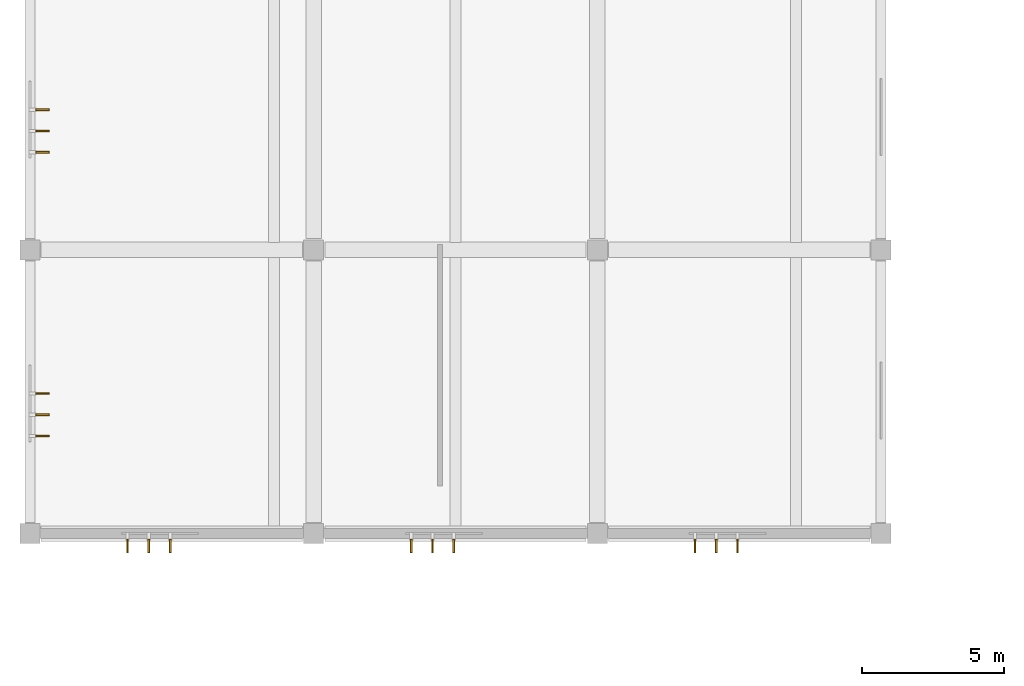
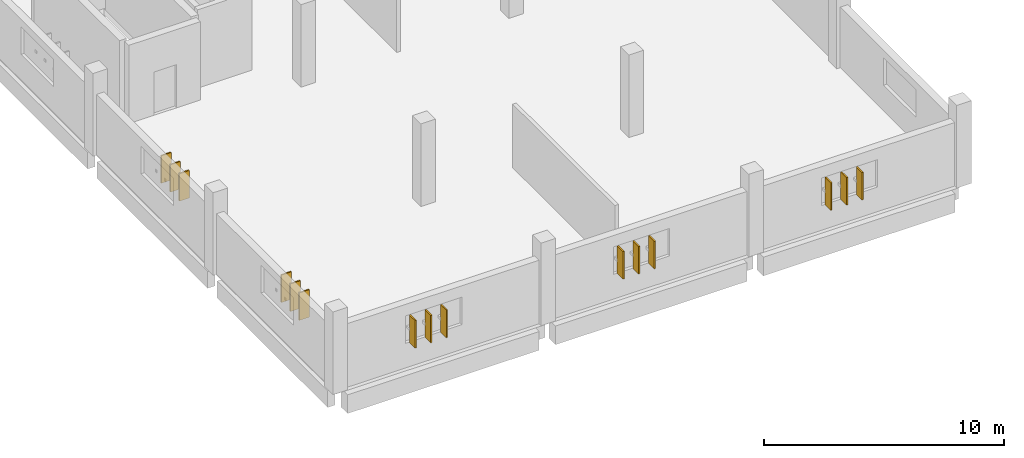
# One storey, part 121 of 142: 15 shading devices.
"""IFC4 building model written with IfcOpenShell, lengths in metres."""

from ifc_helpers import new_model, si_unit, direction, frame, origin, origin_2d, place, context, subcontext, project, spatial, rectangle, extrude, material, type_object, element, save


model = new_model("IFC4")

# Units and contexts
model_context = context("Model", 3, precision=1e-05, world=origin(), true_north=direction((0.0, 1.0)))
body_context = subcontext(model_context, "Body", "Model", "MODEL_VIEW")
ifc_project = project(units=[si_unit("LENGTHUNIT", "METRE"), si_unit("AREAUNIT", "SQUARE_METRE"), si_unit("VOLUMEUNIT", "CUBIC_METRE"), si_unit("PLANEANGLEUNIT", "RADIAN"), si_unit("MASSUNIT", "GRAM", prefix="KILO")], contexts=[model_context])

# Site, building, storey
site_placement = place(None, origin())
site = spatial("IfcSite", under=ifc_project, at=site_placement, CompositionType="ELEMENT")
building_placement = place(site_placement, origin())
building = spatial("IfcBuilding", under=site, at=building_placement, Name="Corvandel Quay Wholesale Market", CompositionType="ELEMENT")
storey_placement = place(building_placement, frame((0.0, 0.0, 10.800048828125)))
storey = spatial("IfcBuildingStorey", under=building, at=storey_placement, Name="L02", CompositionType="ELEMENT", Elevation=10.800048828125)

# Shading devices
ifc_material = material(Name="Bronze anodised extruded aluminium 6063-T6", Category="aluminium")
shading_device_type = type_object("IfcShadingDeviceType", Name="Vertical Anodised Bronze Solar Fin FN01 480mm", PredefinedType="JALOUSIE", material=ifc_material)
for number, where, z_axis, x_axis, name in (
    (1, (20.43994140625, 13.43994140625, 1.300048828125), (0.0, 0.0, 1.0), (1.0, 0.0, 0.0), "Solar Fin 0523"),
    (2, (20.43994140625, 14.18994140625, 1.300048828125), (0.0, 0.0, 1.0), (1.0, 0.0, 0.0), "Solar Fin 0524"),
    (3, (20.43994140625, 14.93994140625, 1.300048828125), (0.0, 0.0, 1.0), (1.0, 0.0, 0.0), "Solar Fin 0525"),
    (4, (20.43994140625, 23.43994140625, 1.300048828125), (0.0, 0.0, 1.0), (1.0, 0.0, 0.0), "Solar Fin 0528"),
    (5, (20.43994140625, 24.18994140625, 1.300048828125), (0.0, 0.0, 1.0), (1.0, 0.0, 0.0), "Solar Fin 0529"),
    (6, (20.43994140625, 24.93994140625, 1.300048828125), (0.0, 0.0, 1.0), (1.0, 0.0, 0.0), "Solar Fin 0530"),
    (7, (23.43994140625, 9.56005859375, 1.25), (0.0, 0.0, 1.0), (0.0, 1.0, 0.0), "Solar Fin 0582"),
    (8, (24.18994140625, 9.56005859375, 1.25), (0.0, 0.0, 1.0), (0.0, 1.0, 0.0), "Solar Fin 0583"),
    (9, (24.93994140625, 9.56005859375, 1.25), (0.0, 0.0, 1.0), (0.0, 1.0, 0.0), "Solar Fin 0584"),
    (10, (33.43994140625, 9.56005859375, 1.25), (0.0, 0.0, 1.0), (0.0, 1.0, 0.0), "Solar Fin 0587"),
    (11, (34.18994140625, 9.56005859375, 1.25), (0.0, 0.0, 1.0), (0.0, 1.0, 0.0), "Solar Fin 0588"),
    (12, (34.93994140625, 9.56005859375, 1.25), (0.0, 0.0, 1.0), (0.0, 1.0, 0.0), "Solar Fin 0589"),
    (13, (43.43994140625, 9.56005859375, 1.25), (0.0, 0.0, 1.0), (0.0, 1.0, 0.0), "Solar Fin 0592"),
    (14, (44.18994140625, 9.56005859375, 1.25), (0.0, 0.0, 1.0), (0.0, 1.0, 0.0), "Solar Fin 0593"),
    (15, (44.93994140625, 9.56005859375, 1.25), (0.0, 0.0, 1.0), (0.0, 1.0, 0.0), "Solar Fin 0594"),
):
    element("IfcShadingDevice", number, at=place(storey_placement, frame(where, z_axis=z_axis, x_axis=x_axis)), inside=storey, type_object=shading_device_type, Name=name, PredefinedType="JALOUSIE", context=body_context, shape_type="SweptSolid", body=[
        extrude(rectangle(XDim=0.47998046875, YDim=0.06494140625, at=origin_2d()), origin(), (0.0, 0.0, 1.0), 1.39990234375),
    ])

save(model, "model.ifc")
